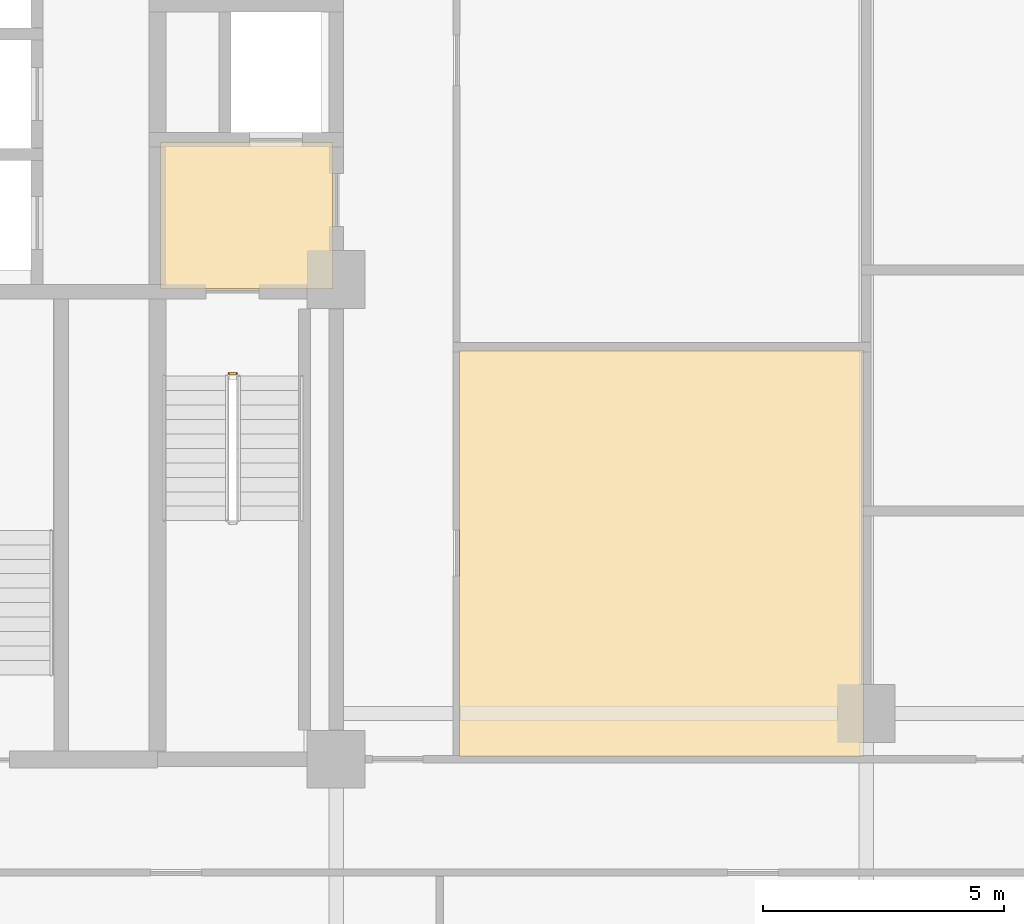
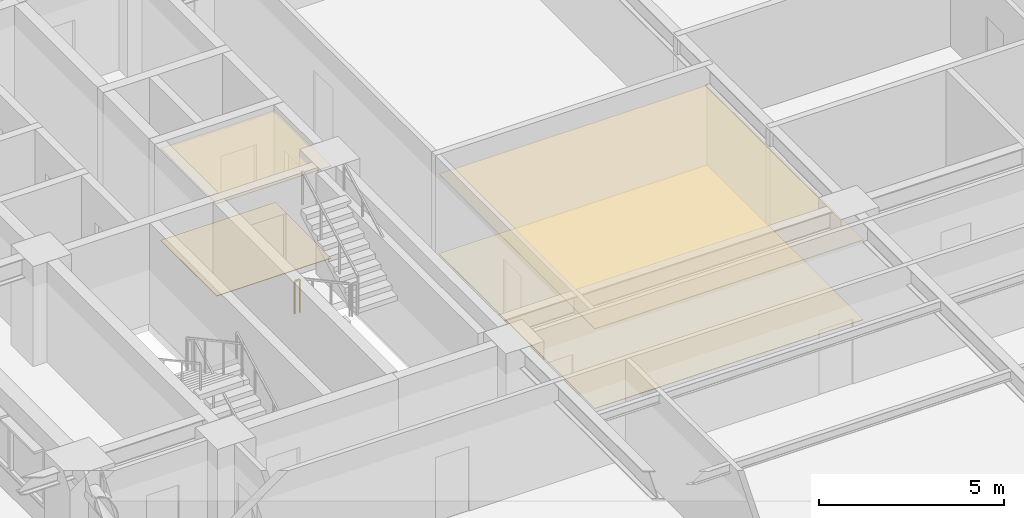
# One storey, part 10 of 14: 4 coverings, 1 railing.
"""IFC4 building model written with IfcOpenShell, lengths in metres."""

from ifc_helpers import new_model, si_unit, direction, frame, origin, origin_2d, place, context, subcontext, project, spatial, polyline, rectangle, outline, extrude, material, layer, layer_set, type_object, element, save


model = new_model("IFC4")

# Units and contexts
model_context = context("Model", 3, precision=1e-05, world=origin(), true_north=direction((0.0, 1.0)))
body_context = subcontext(model_context, "Body", "Model", "MODEL_VIEW")
ifc_project = project(units=[si_unit("LENGTHUNIT", "METRE"), si_unit("AREAUNIT", "SQUARE_METRE"), si_unit("VOLUMEUNIT", "CUBIC_METRE"), si_unit("PLANEANGLEUNIT", "RADIAN"), si_unit("MASSUNIT", "GRAM", prefix="KILO")], contexts=[model_context])

# Site, building, storey
site_placement = place(None, origin())
site = spatial("IfcSite", under=ifc_project, at=site_placement, CompositionType="ELEMENT")
building_placement = place(site_placement, origin())
building = spatial("IfcBuilding", under=site, at=building_placement, Name="Zulmaris Gate Convention Tower", CompositionType="ELEMENT")
storey_placement = place(building_placement, frame((0.0, 0.0, 45.050048828125)))
storey = spatial("IfcBuildingStorey", under=building, at=storey_placement, Name="L10", CompositionType="ELEMENT", Elevation=45.050048828125)

# Coverings
ifc_material_1 = material(Name="Mineral Fibre Acoustic Ceiling Tile")
ifc_layer_1 = layer(ifc_material_1, 0.02001953125, Name="Mineral Fibre Acoustic Ceiling Tile")
ifc_layer_set_1 = layer_set([ifc_layer_1], Name="Mineral Fibre Acoustic Ceiling Tile")
covering_type_1 = type_object("IfcCoveringType", Name="CLG-ACOUSTIC-600", PredefinedType="CEILING", material=ifc_layer_set_1)
covering_1_placement = place(storey_placement, frame((0.0, 0.0, 3.0400390625)))
element("IfcCovering", 1, at=covering_1_placement, inside=storey, type_object=covering_type_1, Name="CLG-L10-R03", PredefinedType="CEILING", context=body_context, shape_type="SweptSolid", body=[
    extrude(outline(polyline([(-14.639892578125, -0.18994140625), (-11.06005859375, -0.18994140625), (-11.06005859375, 2.840087890625), (-14.639892578125, 2.840087890625), (-14.639892578125, -0.18994140625)])), origin(), (0.0, 0.0, 1.0), 0.02001953125),
])
covering_2_placement = place(storey_placement, frame((0.0, 0.0, 2.6279296875)))
element("IfcCovering", 2, at=covering_2_placement, inside=storey, type_object=covering_type_1, Name="CLG-L10-R40", PredefinedType="CEILING", context=body_context, shape_type="SweptSolid", body=[
    extrude(outline(polyline([(-8.43994140625, -9.889892578125), (-0.06005859375, -9.889892578125), (-0.06005859375, -1.4599609375), (-8.43994140625, -1.4599609375), (-8.43994140625, -9.889892578125)])), origin(), (0.0, 0.0, 1.0), 0.02001953125),
])
ifc_material_2 = material(Name="Woven Acoustic Wool Carpet Tile")
ifc_layer_2 = layer(ifc_material_2, 0.02001953125, Name="Woven Acoustic Wool Carpet Tile")
ifc_layer_set_2 = layer_set([ifc_layer_2], Name="Woven Acoustic Wool Carpet Tile")
covering_type_2 = type_object("IfcCoveringType", Name="FLR-CARPET-12", PredefinedType="FLOORING", material=ifc_layer_set_2)
covering_3_placement = place(storey_placement, origin())
element("IfcCovering", 3, at=covering_3_placement, inside=storey, type_object=covering_type_2, Name="FLR-L10-R03", PredefinedType="FLOORING", context=body_context, shape_type="SweptSolid", body=[
    extrude(outline(polyline([(-14.639892578125, -0.18994140625), (-11.06005859375, -0.18994140625), (-11.06005859375, 2.840087890625), (-14.639892578125, 2.840087890625), (-14.639892578125, -0.18994140625)])), origin(), (0.0, 0.0, 1.0), 0.02001953125),
])
covering_4_placement = place(storey_placement, origin())
element("IfcCovering", 4, at=covering_4_placement, inside=storey, type_object=covering_type_2, Name="FLR-L10-R40", PredefinedType="FLOORING", context=body_context, shape_type="SweptSolid", body=[
    extrude(outline(polyline([(-8.43994140625, -9.889892578125), (-0.06005859375, -9.889892578125), (-0.06005859375, -1.4599609375), (-8.43994140625, -1.4599609375), (-8.43994140625, -9.889892578125)])), origin(), (0.0, 0.0, 1.0), 0.02001953125),
])

# Railing
ifc_material_3 = material(Name="Painted Galvanised Steel", Category="steel")
railing_type = type_object("IfcRailingType", Name="RL-STG-1150", PredefinedType="GUARDRAIL", material=ifc_material_3)
railing_placement = place(storey_placement, frame((-13.219970703125, -1.949951171875, 0.0)))
element("IfcRailing", 5, at=railing_placement, inside=storey, type_object=railing_type, Name="L10 ST-1 stair guard 4", PredefinedType="GUARDRAIL", context=body_context, shape_type="SweptSolid", body=[
    extrude(rectangle(XDim=0.048095703125, YDim=0.048095703125, at=origin_2d()), frame((0.0, 0.0, 1.076171875), z_axis=(1.0, 0.0, 0.0), x_axis=(0.0, 1.0, 0.0)), (0.0, 0.0, 1.0), 0.159912109375),
    extrude(rectangle(XDim=0.0419921875, YDim=0.0419921875, at=origin_2d()), origin(), (0.0, 0.0, 1.0), 1.052001953125),
    extrude(rectangle(XDim=0.0419921875, YDim=0.0419921875, at=origin_2d()), frame((0.159912109375, 0.0, 0.0)), (0.0, 0.0, 1.0), 1.052001953125),
])

save(model, "model.ifc")
